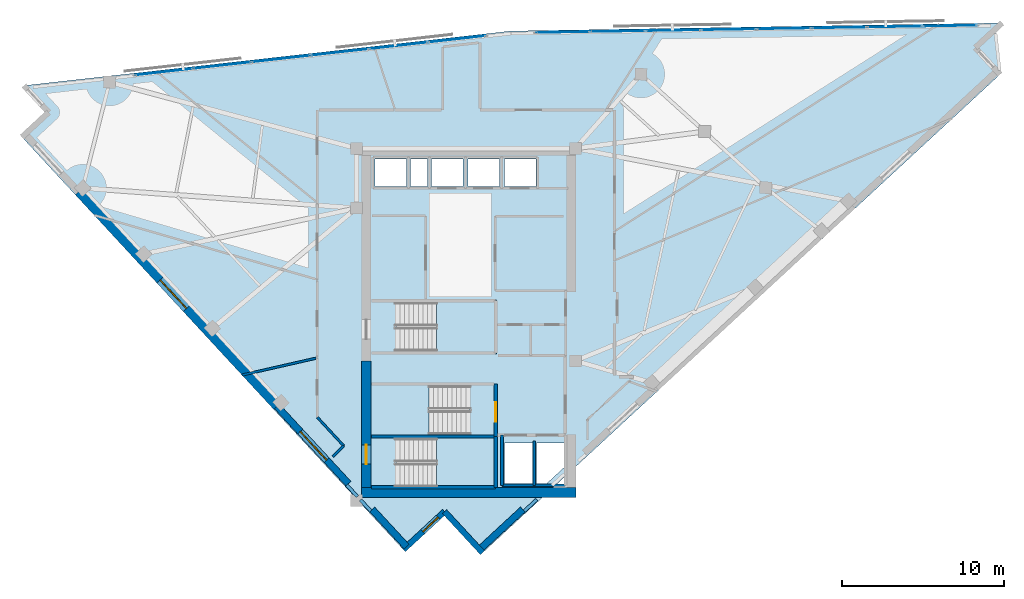
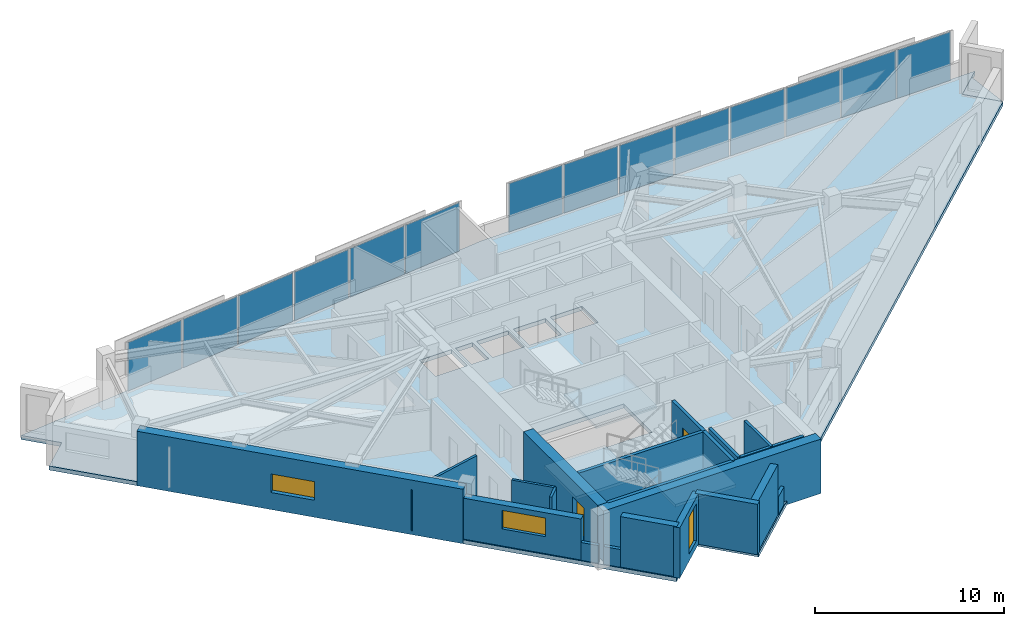
# One storey, part 7 of 13: 21 walls, 14 plates, 5 slabs, 3 windows, 2 doors, 5 openings, 5 elements without a shape of their own.
"""IFC4 building model written with IfcOpenShell, lengths in metres."""

import ifcopenshell
import ifcopenshell.guid

model = None  # the IFC model being written
_history = None  # IfcOwnerHistory: only IFC2X3 demands one
_inside = {}  # id of a spatial element -> (the spatial element, [elements in it])
_under = {}  # id of a project, library or spatial element -> (it, [spatial elements below it])
_declared = {}  # id of a project -> (the project, [libraries it declares])
_typed = {}  # id of a type object -> (the type object, [elements of that type])
_made_of = {}  # id of a material, layer set ... -> (it, [elements and type objects made of it])


def new_model(schema):
    """Start an empty IFC model of exactly this schema.

    Asked for "IFC4X3", IfcOpenShell would pick the latest addendum, in which some entities
    have other attributes; the version numbers below select the first issue.
    IFC2X3 requires an IfcOwnerHistory on every rooted entity: one is made here for all.
    """
    global model, _history
    if schema == "IFC4X3":
        model = ifcopenshell.file(schema_version=(4, 3, 0, 0))
    else:
        model = ifcopenshell.file(schema=schema)
    _inside.clear()
    _under.clear()
    _declared.clear()
    _typed.clear()
    _made_of.clear()
    _history = None
    if model.schema == "IFC2X3":
        org = make("IfcOrganization", Name="unknown")
        user = make(
            "IfcPersonAndOrganization",
            ThePerson=make("IfcPerson", FamilyName="unknown"),
            TheOrganization=org,
        )
        app = make(
            "IfcApplication",
            ApplicationDeveloper=org,
            Version="unknown",
            ApplicationFullName="unknown",
            ApplicationIdentifier="unknown",
        )
        _history = make(
            "IfcOwnerHistory",
            OwningUser=user,
            OwningApplication=app,
            ChangeAction="ADDED",
            CreationDate=0,
        )
    return model


def make(cls, **values):
    """One entity of the class cls with the attributes given. An attribute that is None is left unset."""
    return model.create_entity(
        cls, **{name: value for name, value in values.items() if value is not None}
    )


def rooted(cls, **values):
    """An entity with a GlobalId (a new one), such as an element, a storey or a relation."""
    return make(cls, GlobalId=ifcopenshell.guid.new(), OwnerHistory=_history, **values)


def si_unit(unit_type, name, prefix=None):
    """IfcSIUnit, for example si_unit("LENGTHUNIT", "METRE", prefix="MILLI")."""
    return make("IfcSIUnit", UnitType=unit_type, Prefix=prefix, Name=name)


def assignment(units):
    """IfcUnitAssignment: the units of a project."""
    return None if units is None else make("IfcUnitAssignment", Units=units)


def point(xyz):
    """IfcCartesianPoint."""
    return None if xyz is None else make("IfcCartesianPoint", Coordinates=xyz)


def direction(xyz):
    """IfcDirection."""
    return None if xyz is None else make("IfcDirection", DirectionRatios=xyz)


def frame(location, z_axis=None, x_axis=None):
    """IfcAxis2Placement3D, a coordinate frame: its origin and axes. An axis left out is left unset."""
    return make(
        "IfcAxis2Placement3D",
        Location=point(location),
        Axis=direction(z_axis),
        RefDirection=direction(x_axis),
    )


def frame_2d(location, x_axis=None):
    """IfcAxis2Placement2D, a coordinate frame in the plane: its origin and x axis."""
    return make(
        "IfcAxis2Placement2D", Location=point(location), RefDirection=direction(x_axis)
    )


def origin():
    """The frame at (0, 0, 0) with its axes left unset."""
    return frame((0.0, 0.0, 0.0))


def origin_2d():
    """The frame at (0, 0) in the plane with its x axis left unset."""
    return frame_2d((0.0, 0.0))


def place(relative_to, where):
    """IfcLocalPlacement: puts the frame where relative to a parent placement (None: the world)."""
    return make(
        "IfcLocalPlacement", PlacementRelTo=relative_to, RelativePlacement=where
    )


def context(
    kind, dimensions, precision=None, world=None, true_north=None, identifier=None
):
    """IfcGeometricRepresentationContext, for example the 3D "Model" context."""
    return make(
        "IfcGeometricRepresentationContext",
        ContextIdentifier=identifier,
        ContextType=kind,
        CoordinateSpaceDimension=dimensions,
        Precision=precision,
        WorldCoordinateSystem=world,
        TrueNorth=true_north,
    )


def subcontext(parent, identifier, kind, view, scale=None):
    """IfcGeometricRepresentationSubContext, for example "Body" below "Model"."""
    return make(
        "IfcGeometricRepresentationSubContext",
        ContextIdentifier=identifier,
        ContextType=kind,
        ParentContext=parent,
        TargetScale=scale,
        TargetView=view,
    )


def project(units=None, contexts=None):
    """IfcProject with its units and contexts."""
    return rooted(
        "IfcProject",
        Name="project",
        RepresentationContexts=contexts,
        UnitsInContext=assignment(units),
    )


def spatial(cls, under=None, at=None, **own):
    """A site, building, storey or space (cls), placed at a placement, below another one or the project."""
    s = rooted(cls, ObjectPlacement=at, **own)
    if under is not None:
        _under.setdefault(under.id(), (under, []))[1].append(s)
    return s


def polyline(points):
    """IfcPolyline through the points."""
    return make("IfcPolyline", Points=[point(p) for p in points])


def profile(cls, at=None, kind="AREA", **sizes):
    """A parametric profile (cls). Its sizes go by their IFC names, for example OverallWidth=200.0."""
    return make(cls, ProfileType=kind, Position=at, **sizes)


def rectangle(**sizes):
    """IfcRectangleProfileDef."""
    return profile("IfcRectangleProfileDef", **sizes)


def outline(outer, holes=None, kind="AREA"):
    """IfcArbitraryClosedProfileDef: a profile drawn as a closed curve; with holes, ...WithVoids."""
    if holes is None:
        return make("IfcArbitraryClosedProfileDef", ProfileType=kind, OuterCurve=outer)
    return make(
        "IfcArbitraryProfileDefWithVoids",
        ProfileType=kind,
        OuterCurve=outer,
        InnerCurves=holes,
    )


def extrude(swept, where, along, depth):
    """IfcExtrudedAreaSolid: the profile swept, set in the frame where, extruded along a direction by depth."""
    return make(
        "IfcExtrudedAreaSolid",
        SweptArea=swept,
        Position=where,
        ExtrudedDirection=direction(along),
        Depth=depth,
    )


def shape(context_of_items, identifier, shape_type, items):
    """IfcShapeRepresentation: the items that make up one representation, for example the "Body"."""
    return make(
        "IfcShapeRepresentation",
        ContextOfItems=context_of_items,
        RepresentationIdentifier=identifier,
        RepresentationType=shape_type,
        Items=items,
    )


def material(Name=None, Category=None):
    """IfcMaterial."""
    return make("IfcMaterial", Name=Name, Category=Category)


def layer(
    of_material, thickness, ventilated=None, Name=None, Category=None, Priority=None
):
    """IfcMaterialLayer: one layer of a wall or slab, of a material (None: an air gap)."""
    return make(
        "IfcMaterialLayer",
        Material=of_material,
        LayerThickness=thickness,
        IsVentilated=ventilated,
        Name=Name,
        Category=Category,
        Priority=Priority,
    )


def layer_set(layers, Name=None):
    """IfcMaterialLayerSet."""
    return make("IfcMaterialLayerSet", MaterialLayers=layers, LayerSetName=Name)


def made_of(thing, what):
    """Note that an element or type object is made of a material, layer set ...; save() writes the relation."""
    if what is not None:
        _made_of.setdefault(what.id(), (what, []))[1].append(thing)
    return thing


def type_object(cls, material=None, **own):
    """A type object (cls), such as IfcWallType, which elements share."""
    return made_of(rooted(cls, **own), material)


def element(
    cls,
    number,
    at=None,
    inside=None,
    cuts=None,
    type_object=None,
    material=None,
    context=None,
    identifier="Body",
    shape_type=None,
    held_by="IfcProductDefinitionShape",
    body=None,
    shapes=None,
    **own,
):
    """One element of the class cls, such as IfcWall. Its Tag is "e" and its number.

    at: its placement. inside: the storey or other place that contains it. cuts: it is an
    opening in that element (IfcRelVoidsElement). A single representation is given by context,
    identifier, shape_type and body (its items); several are given by shapes. held_by: the class
    of the entity that holds the representations. save() writes the other relations.
    """
    e = rooted(cls, Tag="e%d" % number, ObjectPlacement=at, **own)
    if body is not None:
        shapes = [shape(context, identifier, shape_type, body)]
    if shapes is not None:
        e.Representation = make(held_by, Representations=shapes)
    if inside is not None:
        _inside.setdefault(inside.id(), (inside, []))[1].append(e)
    if cuts is not None:
        rooted(
            "IfcRelVoidsElement", RelatingBuildingElement=cuts, RelatedOpeningElement=e
        )
    if type_object is not None:
        _typed.setdefault(type_object.id(), (type_object, []))[1].append(e)
    return made_of(e, material)


def fill(opening, filler):
    """IfcRelFillsElement: the door or window that sits in an opening."""
    return rooted(
        "IfcRelFillsElement",
        RelatingOpeningElement=opening,
        RelatedBuildingElement=filler,
    )


def aggregate(whole, parts):
    """IfcRelAggregates: a whole, such as a stair, and the parts it consists of."""
    return rooted("IfcRelAggregates", RelatingObject=whole, RelatedObjects=parts)


def save(model, path):
    """Write the relations noted so far, then the file.

    IfcRelAggregates (storeys below a building ...), IfcRelContainedInSpatialStructure (elements
    in a storey), IfcRelDefinesByType, IfcRelAssociatesMaterial and IfcRelDeclares: one each for
    every whole, place, type object, material and project.
    """
    for whole, parts in _under.values():
        aggregate(whole, parts)
    for where, things in _inside.values():
        rooted(
            "IfcRelContainedInSpatialStructure",
            RelatedElements=things,
            RelatingStructure=where,
        )
    for kind, things in _typed.values():
        rooted("IfcRelDefinesByType", RelatedObjects=things, RelatingType=kind)
    for what, things in _made_of.values():
        rooted("IfcRelAssociatesMaterial", RelatedObjects=things, RelatingMaterial=what)
    for by, libraries in _declared.values():
        rooted("IfcRelDeclares", RelatingContext=by, RelatedDefinitions=libraries)
    model.write(path)


model = new_model("IFC4")

# Units and contexts
model_context = context("Model", 3, precision=1e-05, world=origin(), true_north=direction((0.0, 1.0)))
body_context = subcontext(model_context, "Body", "Model", "MODEL_VIEW")
ifc_project = project(units=[si_unit("LENGTHUNIT", "METRE"), si_unit("AREAUNIT", "SQUARE_METRE"), si_unit("VOLUMEUNIT", "CUBIC_METRE"), si_unit("PLANEANGLEUNIT", "RADIAN"), si_unit("MASSUNIT", "GRAM", prefix="KILO")], contexts=[model_context])

# Site, building, storey
site_placement = place(None, origin())
site = spatial("IfcSite", under=ifc_project, at=site_placement, CompositionType="ELEMENT")
building_placement = place(site_placement, origin())
building = spatial("IfcBuilding", under=site, at=building_placement, Name="Narakoshi Arena Tower", CompositionType="ELEMENT")
storey_placement = place(building_placement, frame((0.0, 0.0, 281.860107421875)))
storey = spatial("IfcBuildingStorey", under=building, at=storey_placement, Name="L77", CompositionType="ELEMENT", Elevation=281.860107421875)

# Curtain wall, plates
ifc_material_1 = material(Name="Anodised bronze aluminium 6063-T6", Category="aluminium")
curtain_wall_type = type_object("IfcCurtainWallType", Name="CW-HYP-HIGH", PredefinedType="NOTDEFINED", material=ifc_material_1)
curtain_wall_1_placement = place(storey_placement, origin())
curtain_wall_1 = element("IfcCurtainWall", 1, at=curtain_wall_1_placement, inside=storey, type_object=curtain_wall_type, Name="L77 Folded Hypotenuse Curtain Wall 1-1", PredefinedType="NOTDEFINED")
ifc_material_2 = material(Name="Bronze-tinted low-E laminated glass", Category="glass")
ifc_layer_1 = layer(ifc_material_2, 0.0439453125)
ifc_layer_set_1 = layer_set([ifc_layer_1], Name="Bronze-tinted low-E laminated glass")
plate_type = type_object("IfcPlateType", Name="PLT-GLZ-44", PredefinedType="CURTAIN_PANEL", material=ifc_layer_set_1)
plate_1_placement = place(storey_placement, frame((108.725341796875, 64.08984375, 0.06494140625), z_axis=(0.0, 0.0, 1.0), x_axis=(-0.999864804777, -0.016442997569, 0.0)))
plate_1 = element("IfcPlate", 2, at=plate_1_placement, type_object=plate_type, Name="CW-03 panel 1.1", PredefinedType="CURTAIN_PANEL", context=body_context, shape_type="SweptSolid", body=[
    extrude(rectangle(XDim=3.307861328125, YDim=0.0439453125, at=origin_2d()), origin(), (0.0, 0.0, 1.0), 3.1298828125),
])
plate_2_placement = place(storey_placement, frame((105.31787109375, 64.033935546875, 0.06494140625), z_axis=(0.0, 0.0, 1.0), x_axis=(-0.999864804777, -0.016442997569, 0.0)))
plate_2 = element("IfcPlate", 3, at=plate_2_placement, type_object=plate_type, Name="CW-03 panel 2.1", PredefinedType="CURTAIN_PANEL", context=body_context, shape_type="SweptSolid", body=[
    extrude(rectangle(XDim=3.34765625, YDim=0.0439453125, at=origin_2d()), origin(), (0.0, 0.0, 1.0), 3.1298828125),
])
plate_3_placement = place(storey_placement, frame((101.890625, 63.9775390625, 0.06494140625), z_axis=(0.0, 0.0, 1.0), x_axis=(-0.999864804777, -0.016442997569, 0.0)))
plate_3 = element("IfcPlate", 4, at=plate_3_placement, type_object=plate_type, Name="CW-03 panel 3.1", PredefinedType="CURTAIN_PANEL", context=body_context, shape_type="SweptSolid", body=[
    extrude(rectangle(XDim=3.34765625, YDim=0.0439453125, at=origin_2d()), origin(), (0.0, 0.0, 1.0), 3.1298828125),
])
plate_4_placement = place(storey_placement, frame((98.46337890625, 63.921142578125, 0.06494140625), z_axis=(0.0, 0.0, 1.0), x_axis=(-0.999864804777, -0.016442997569, 0.0)))
plate_4 = element("IfcPlate", 5, at=plate_4_placement, type_object=plate_type, Name="CW-03 panel 4.1", PredefinedType="CURTAIN_PANEL", context=body_context, shape_type="SweptSolid", body=[
    extrude(rectangle(XDim=3.34765625, YDim=0.0439453125, at=origin_2d()), origin(), (0.0, 0.0, 1.0), 3.1298828125),
])
plate_5_placement = place(storey_placement, frame((95.0361328125, 63.86474609375, 0.06494140625), z_axis=(0.0, 0.0, 1.0), x_axis=(-0.999864804777, -0.016442997569, 0.0)))
plate_5 = element("IfcPlate", 6, at=plate_5_placement, type_object=plate_type, Name="CW-03 panel 5.1", PredefinedType="CURTAIN_PANEL", context=body_context, shape_type="SweptSolid", body=[
    extrude(rectangle(XDim=3.34765625, YDim=0.0439453125, at=origin_2d()), origin(), (0.0, 0.0, 1.0), 3.1298828125),
])
plate_6_placement = place(storey_placement, frame((91.60888671875, 63.808349609375, 0.06494140625), z_axis=(0.0, 0.0, 1.0), x_axis=(-0.999864804777, -0.016442997569, 0.0)))
plate_6 = element("IfcPlate", 7, at=plate_6_placement, type_object=plate_type, Name="CW-03 panel 6.1", PredefinedType="CURTAIN_PANEL", context=body_context, shape_type="SweptSolid", body=[
    extrude(rectangle(XDim=3.34765625, YDim=0.0439453125, at=origin_2d()), origin(), (0.0, 0.0, 1.0), 3.1298828125),
])
plate_7_placement = place(storey_placement, frame((88.181640625, 63.751953125, 0.06494140625), z_axis=(0.0, 0.0, 1.0), x_axis=(-0.999864804777, -0.016442997569, 0.0)))
plate_7 = element("IfcPlate", 8, at=plate_7_placement, type_object=plate_type, Name="CW-03 panel 7.1", PredefinedType="CURTAIN_PANEL", context=body_context, shape_type="SweptSolid", body=[
    extrude(rectangle(XDim=3.34765625, YDim=0.0439453125, at=origin_2d()), origin(), (0.0, 0.0, 1.0), 3.1298828125),
])
plate_8_placement = place(storey_placement, frame((84.774169921875, 63.696044921875, 0.06494140625), z_axis=(0.0, 0.0, 1.0), x_axis=(-0.999864804777, -0.016442997569, 0.0)))
plate_8 = element("IfcPlate", 9, at=plate_8_placement, type_object=plate_type, Name="CW-03 panel 8.1", PredefinedType="CURTAIN_PANEL", context=body_context, shape_type="SweptSolid", body=[
    extrude(rectangle(XDim=3.307861328125, YDim=0.0439453125, at=origin_2d()), origin(), (0.0, 0.0, 1.0), 3.1298828125),
])
aggregate(curtain_wall_1, [plate_1, plate_2, plate_3, plate_4, plate_5, plate_6, plate_7, plate_8])

curtain_wall_2_placement = place(storey_placement, origin())
curtain_wall_2 = element("IfcCurtainWall", 10, at=curtain_wall_2_placement, inside=storey, type_object=curtain_wall_type, Name="L77 Folded Hypotenuse Curtain Wall 2-1", PredefinedType="NOTDEFINED")
plate_9_placement = place(storey_placement, frame((78.222900390625, 63.2705078125, 0.06494140625), z_axis=(0.0, 0.0, 1.0), x_axis=(-0.9937760415, -0.111396496086, 0.0)))
plate_9 = element("IfcPlate", 11, at=plate_9_placement, type_object=plate_type, Name="CW-03 panel 1.1", PredefinedType="CURTAIN_PANEL", context=body_context, shape_type="SweptSolid", body=[
    extrude(rectangle(XDim=3.540283203125, YDim=0.0439453125, at=origin_2d()), origin(), (0.0, 0.0, 1.0), 3.1298828125),
])
plate_10_placement = place(storey_placement, frame((74.605224609375, 62.864990234375, 0.06494140625), z_axis=(0.0, 0.0, 1.0), x_axis=(-0.9937760415, -0.111396496086, 0.0)))
plate_10 = element("IfcPlate", 12, at=plate_10_placement, type_object=plate_type, Name="CW-03 panel 2.1", PredefinedType="CURTAIN_PANEL", context=body_context, shape_type="SweptSolid", body=[
    extrude(rectangle(XDim=3.580322265625, YDim=0.0439453125, at=origin_2d()), origin(), (0.0, 0.0, 1.0), 3.1298828125),
])
plate_11_placement = place(storey_placement, frame((70.967529296875, 62.45703125, 0.06494140625), z_axis=(0.0, 0.0, 1.0), x_axis=(-0.9937760415, -0.111396496086, 0.0)))
plate_11 = element("IfcPlate", 13, at=plate_11_placement, type_object=plate_type, Name="CW-03 panel 3.1", PredefinedType="CURTAIN_PANEL", context=body_context, shape_type="SweptSolid", body=[
    extrude(rectangle(XDim=3.580322265625, YDim=0.0439453125, at=origin_2d()), origin(), (0.0, 0.0, 1.0), 3.1298828125),
])
plate_12_placement = place(storey_placement, frame((67.330078125, 62.04931640625, 0.06494140625), z_axis=(0.0, 0.0, 1.0), x_axis=(-0.9937760415, -0.111396496086, 0.0)))
plate_12 = element("IfcPlate", 14, at=plate_12_placement, type_object=plate_type, Name="CW-03 panel 4.1", PredefinedType="CURTAIN_PANEL", context=body_context, shape_type="SweptSolid", body=[
    extrude(rectangle(XDim=3.580322265625, YDim=0.0439453125, at=origin_2d()), origin(), (0.0, 0.0, 1.0), 3.1298828125),
])
plate_13_placement = place(storey_placement, frame((63.6923828125, 61.6416015625, 0.06494140625), z_axis=(0.0, 0.0, 1.0), x_axis=(-0.9937760415, -0.111396496086, 0.0)))
plate_13 = element("IfcPlate", 15, at=plate_13_placement, type_object=plate_type, Name="CW-03 panel 5.1", PredefinedType="CURTAIN_PANEL", context=body_context, shape_type="SweptSolid", body=[
    extrude(rectangle(XDim=3.580322265625, YDim=0.0439453125, at=origin_2d()), origin(), (0.0, 0.0, 1.0), 3.1298828125),
])
plate_14_placement = place(storey_placement, frame((60.07470703125, 61.236083984375, 0.06494140625), z_axis=(0.0, 0.0, 1.0), x_axis=(-0.9937760415, -0.111396496086, 0.0)))
plate_14 = element("IfcPlate", 16, at=plate_14_placement, type_object=plate_type, Name="CW-03 panel 6.1", PredefinedType="CURTAIN_PANEL", context=body_context, shape_type="SweptSolid", body=[
    extrude(rectangle(XDim=3.540283203125, YDim=0.0439453125, at=origin_2d()), origin(), (0.0, 0.0, 1.0), 3.1298828125),
])
aggregate(curtain_wall_2, [plate_9, plate_10, plate_11, plate_12, plate_13, plate_14])

# Stair, slab
ifc_material_3 = material(Name="Concrete C45/55", Category="concrete")
stair_type = type_object("IfcStairType", Name="STR-CORE-352", PredefinedType="TWO_STRAIGHT_RUN_STAIR", material=ifc_material_3)
stair_1_placement = place(storey_placement, origin())
stair_1 = element("IfcStair", 17, at=stair_1_placement, inside=storey, type_object=stair_type, Name="L77 Core Escape Stair ST1", PredefinedType="TWO_STRAIGHT_RUN_STAIR")
ifc_layer_2 = layer(ifc_material_3, 0.18994140625)
ifc_layer_set_2 = layer_set([ifc_layer_2], Name="Concrete C45/55")
slab_type_1 = type_object("IfcSlabType", Name="SLB-LND-190", PredefinedType="LANDING", material=ifc_layer_set_2)
slab_1_placement = place(storey_placement, frame((0.0, 0.0, 1.56982421875)))
slab_1 = element("IfcSlab", 18, at=slab_1_placement, type_object=slab_type_1, Name="ST1 landing 1", PredefinedType="LANDING", context=body_context, shape_type="SweptSolid", body=[
    extrude(outline(polyline([(76.965087890625, 35.3701171875), (80.679931640625, 35.3701171875), (80.679931640625, 38.72998046875), (76.965087890625, 38.72998046875), (76.965087890625, 35.3701171875)])), origin(), (0.0, 0.0, 1.0), 0.190185546875),
])
aggregate(stair_1, [slab_1])

stair_2_placement = place(storey_placement, origin())
stair_2 = element("IfcStair", 19, at=stair_2_placement, inside=storey, type_object=stair_type, Name="L77 Core Escape Stair ST2", PredefinedType="TWO_STRAIGHT_RUN_STAIR")
slab_2_placement = place(storey_placement, frame((0.0, 0.0, 1.56982421875)))
slab_2 = element("IfcSlab", 20, at=slab_2_placement, type_object=slab_type_1, Name="ST2 landing 1", PredefinedType="LANDING", context=body_context, shape_type="SweptSolid", body=[
    extrude(outline(polyline([(72.77001953125, 38.6201171875), (76.485107421875, 38.6201171875), (76.485107421875, 41.97998046875), (72.77001953125, 41.97998046875), (72.77001953125, 38.6201171875)])), origin(), (0.0, 0.0, 1.0), 0.190185546875),
])
aggregate(stair_2, [slab_2])

stair_3_placement = place(storey_placement, origin())
stair_3 = element("IfcStair", 21, at=stair_3_placement, inside=storey, type_object=stair_type, Name="L77 Core Escape Stair ST3", PredefinedType="TWO_STRAIGHT_RUN_STAIR")
slab_3_placement = place(storey_placement, frame((0.0, 0.0, 1.56982421875)))
slab_3 = element("IfcSlab", 22, at=slab_3_placement, type_object=slab_type_1, Name="ST3 landing 1", PredefinedType="LANDING", context=body_context, shape_type="SweptSolid", body=[
    extrude(outline(polyline([(76.965087890625, 43.77001953125), (80.679931640625, 43.77001953125), (80.679931640625, 47.1298828125), (76.965087890625, 47.1298828125), (76.965087890625, 43.77001953125)])), origin(), (0.0, 0.0, 1.0), 0.190185546875),
])
aggregate(stair_3, [slab_3])

# Slabs
ifc_material_4 = material(Name="Concrete C50/60", Category="concrete")
ifc_layer_3 = layer(ifc_material_4, 0.260009765625)
ifc_layer_set_3 = layer_set([ifc_layer_3], Name="Concrete C50/60")
slab_type_2 = type_object("IfcSlabType", Name="SLB-SKY-260", PredefinedType="FLOOR", material=ifc_layer_set_3)
slab_4_placement = place(storey_placement, frame((0.0, 0.0, -0.260009765625)))
element("IfcSlab", 23, at=slab_4_placement, inside=storey, type_object=slab_type_2, Name="L77 Structural Floor Slab", PredefinedType="FLOOR", context=body_context, shape_type="SweptSolid", body=[
    extrude(outline(polyline([(79.8056640625, 31.47216796875), (111.83154296875, 61.076416015625), (110.30078125, 62.732421875), (111.956787109375, 64.26318359375), (81.538818359375, 63.7626953125), (51.42333984375, 60.38720703125), (52.9541015625, 58.731201171875), (51.298095703125, 57.200439453125), (74.9033203125, 31.664794921875), (77.45068359375, 34.01953125), (79.8056640625, 31.47216796875)]), holes=[polyline([(80.5, 35.550048828125), (74.47998046875, 35.550048828125), (74.47998046875, 38.550048828125), (80.5, 38.550048828125), (80.5, 35.550048828125)]), polyline([(82.89990234375, 35.75), (81.14990234375, 35.75), (81.14990234375, 38.25), (82.89990234375, 38.25), (82.89990234375, 35.75)]), polyline([(84.89990234375, 36.794189453125), (83.7705078125, 35.75), (83.14990234375, 35.75), (83.14990234375, 38.25), (84.89990234375, 38.25), (84.89990234375, 36.794189453125)]), polyline([(72.949951171875, 38.800048828125), (72.949951171875, 41.800048828125), (78.969970703125, 41.800048828125), (78.969970703125, 38.800048828125), (72.949951171875, 38.800048828125)]), polyline([(74.47998046875, 43.949951171875), (74.47998046875, 46.949951171875), (80.5, 46.949951171875), (80.5, 43.949951171875), (74.47998046875, 43.949951171875)]), polyline([(75.10009765625, 54.14990234375), (73.14990234375, 54.14990234375), (73.14990234375, 55.85009765625), (75.10009765625, 55.85009765625), (75.10009765625, 54.14990234375)]), polyline([(76.39990234375, 54.14990234375), (75.35009765625, 54.14990234375), (75.35009765625, 55.85009765625), (76.39990234375, 55.85009765625), (76.39990234375, 54.14990234375)]), polyline([(78.60009765625, 54.14990234375), (76.64990234375, 54.14990234375), (76.64990234375, 55.85009765625), (78.60009765625, 55.85009765625), (78.60009765625, 54.14990234375)]), polyline([(78.89990234375, 54.14990234375), (78.89990234375, 55.85009765625), (80.85009765625, 55.85009765625), (80.85009765625, 54.14990234375), (78.89990234375, 54.14990234375)]), polyline([(81.14990234375, 54.14990234375), (81.14990234375, 55.85009765625), (83.10009765625, 55.85009765625), (83.10009765625, 54.14990234375), (81.14990234375, 54.14990234375)])]), origin(), (0.0, 0.0, 1.0), 0.260009765625),
])
ifc_layer_4 = layer(ifc_material_3, 0.239990234375)
ifc_layer_set_4 = layer_set([ifc_layer_4], Name="Concrete C45/55")
slab_type_3 = type_object("IfcSlabType", Name="SLB-TERR-240", PredefinedType="ROOF", material=ifc_layer_set_4)
slab_5_placement = place(storey_placement, frame((0.0, 0.0, -0.239990234375)))
element("IfcSlab", 24, at=slab_5_placement, inside=storey, type_object=slab_type_3, Name="L77 Corner Notch Loggia Balcony Slab", PredefinedType="ROOF", context=body_context, shape_type="SweptSolid", body=[
    extrude(outline(polyline([(111.52587890625, 63.863037109375), (110.303955078125, 62.73193359375), (111.8310546875, 61.080078125), (111.52587890625, 63.863037109375)])), origin(), (0.0, 0.0, 1.0), 0.239990234375),
])

# Wall, opening, door
ifc_layer_5 = layer(ifc_material_4, 0.60009765625)
ifc_layer_set_5 = layer_set([ifc_layer_5], Name="Concrete C50/60")
wall_type_1 = type_object("IfcWallType", Name="WL-CORE-600", PredefinedType="SHEAR", material=ifc_layer_set_5)
wall_1_placement = place(storey_placement, frame((72.60009765625, 35.5, -0.260009765625), z_axis=(0.0, 0.0, 1.0), x_axis=(0.0, 1.0, 0.0)))
wall_1 = element("IfcWall", 25, at=wall_1_placement, inside=storey, type_object=wall_type_1, Name="L77 Central Core Shear Wall CW-APX-W", PredefinedType="SHEAR", context=body_context, shape_type="SweptSolid", body=[
    extrude(rectangle(XDim=7.85009765625, YDim=0.60009765625, at=frame_2d((3.925048828125, 0.0))), origin(), (0.0, 0.0, 1.0), 3.52001953125),
])
opening_1_placement = place(wall_1_placement, frame((1.449951171875, 0.0, 0.260009765625)))
opening_1 = element("IfcOpeningElement", 26, at=opening_1_placement, cuts=wall_1, Name="Opening D-03", PredefinedType="OPENING", context=body_context, shape_type="SweptSolid", body=[
    extrude(rectangle(XDim=1.199951171875, YDim=2.199951171875, at=frame_2d((0.60009765625, 1.10009765625))), frame((0.0, 0.31005859375, 0.0), z_axis=(0.0, -1.0, 0.0), x_axis=(1.0, 0.0, 0.0)), (0.0, 0.0, 1.0), 0.6201171875),
])
ifc_material_5 = material(Name="Painted galvanized steel", Category="steel")
door_type = type_object("IfcDoorType", Name="DR-STR-1200", OperationType="NOTDEFINED", PredefinedType="USERDEFINED", material=ifc_material_5)
door_1_placement = place(opening_1_placement, frame((1.199951171875, 0.0, 0.0), z_axis=(0.0, 0.0, 1.0), x_axis=(-1.0, 0.0, 0.0)))
door_1 = element("IfcDoor", 27, at=door_1_placement, inside=storey, type_object=door_type, Name="DR-L77-001", ObjectType="EXITDOOR", OperationType="SINGLE_SWING_LEFT", OverallHeight=2.199951171875, OverallWidth=1.199951171875, PredefinedType="USERDEFINED", context=body_context, shape_type="SweptSolid", body=[
    extrude(rectangle(XDim=1.199951171875, YDim=2.199951171875, at=frame_2d((0.60009765625, 1.10009765625))), frame((0.0, 0.02490234375, 0.0), z_axis=(0.0, -1.0, 0.0), x_axis=(1.0, 0.0, 0.0)), (0.0, 0.0, 1.0), 0.050048828125),
])
fill(opening_1, door_1)

# Wall
wall_2_placement = place(storey_placement, frame((72.300048828125, 35.199951171875, -0.260009765625), z_axis=(0.0, 0.0, 1.0), x_axis=(1.0, 0.0, 0.0)))
element("IfcWall", 28, at=wall_2_placement, inside=storey, type_object=wall_type_1, Name="L77 Central Core Shear Wall CW-APX-S", PredefinedType="SHEAR", context=body_context, shape_type="SweptSolid", body=[
    extrude(rectangle(XDim=13.300048828125, YDim=0.60009765625, at=frame_2d((6.64990234375, 0.0))), origin(), (0.0, 0.0, 1.0), 3.52001953125),
])

# Wall, opening, window
ifc_layer_6 = layer(ifc_material_4, 0.550048828125)
ifc_layer_set_6 = layer_set([ifc_layer_6], Name="Concrete C50/60")
wall_type_2 = type_object("IfcWallType", Name="WL-LEG-550", PredefinedType="SHEAR", material=ifc_layer_set_6)
wall_3_placement = place(storey_placement, frame((54.804931640625, 53.81201171875, -0.260009765625), z_axis=(0.0, 0.0, 1.0), x_axis=(0.678803115619, -0.734320318543, 0.0)))
wall_3 = element("IfcWall", 29, at=wall_3_placement, inside=storey, type_object=wall_type_2, Name="L77 Architectural Concrete Structural Wall LEGB-2", PredefinedType="SHEAR", context=body_context, shape_type="SweptSolid", body=[
    extrude(rectangle(XDim=18.082763671875, YDim=0.550048828125, at=frame_2d((9.04150390625, 0.0))), origin(), (0.0, 0.0, 1.0), 3.52001953125),
])
opening_2_placement = place(wall_3_placement, frame((7.434326171875, 0.0, 1.10009765625)))
opening_2 = element("IfcOpeningElement", 30, at=opening_2_placement, cuts=wall_3, Name="Opening WN-04", PredefinedType="OPENING", context=body_context, shape_type="SweptSolid", body=[
    extrude(rectangle(XDim=2.39990234375, YDim=1.199951171875, at=frame_2d((1.199951171875, 0.60009765625))), frame((0.0, 0.284912109375, 0.0), z_axis=(0.0, -1.0, 0.0), x_axis=(1.0, 0.0, 0.0)), (0.0, 0.0, 1.0), 0.570068359375),
])
window_type_1 = type_object("IfcWindowType", Name="WIN-SLT-24x12", PartitioningType="SINGLE_PANEL", PredefinedType="WINDOW", material=ifc_material_2)
window_1_placement = place(opening_2_placement, origin())
window_1 = element("IfcWindow", 31, at=window_1_placement, inside=storey, type_object=window_type_1, Name="L77 LEGB2 Horizontal Slot Window 1", OverallHeight=1.199951171875, OverallWidth=2.39990234375, PartitioningType="SINGLE_PANEL", PredefinedType="WINDOW", context=body_context, shape_type="SweptSolid", body=[
    extrude(rectangle(XDim=2.39990234375, YDim=1.199951171875, at=frame_2d((1.199951171875, 0.60009765625))), frame((0.0, 0.030029296875, 0.0), z_axis=(0.0, -1.0, 0.0), x_axis=(1.0, 0.0, 0.0)), (0.0, 0.0, 1.0), 0.06005859375),
])
fill(opening_2, window_1)

# Walls
ifc_material_6 = material(Name="Precast concrete C45/55", Category="concrete")
ifc_layer_7 = layer(ifc_material_6, 0.25)
ifc_layer_set_7 = layer_set([ifc_layer_7], Name="Precast concrete C45/55")
wall_type_3 = type_object("IfcWallType", Name="WL-PARA-250", PredefinedType="PARAPET", material=ifc_layer_set_7)
wall_4_placement = place(storey_placement, frame((72.881103515625, 34.058349609375, 0.0), z_axis=(0.0, 0.0, 1.0), x_axis=(-0.678651758246, 0.734460203843, 0.0)))
element("IfcWall", 32, at=wall_4_placement, inside=storey, type_object=wall_type_3, Name="L77 Crown Sill Upstand Parapet 01", PredefinedType="PARAPET", context=body_context, shape_type="SweptSolid", body=[
    extrude(rectangle(XDim=0.927490234375, YDim=0.199951171875, at=frame_2d((0.4638671875, 0.0))), origin(), (0.0, 0.0, 1.0), 1.14990234375),
])
wall_5_placement = place(storey_placement, frame((72.05908203125, 34.94775390625, 0.0), z_axis=(0.0, 0.0, 1.0), x_axis=(-0.678740051818, 0.734378609478, 0.0)))
element("IfcWall", 33, at=wall_5_placement, inside=storey, type_object=wall_type_3, Name="L77 Crown Sill Upstand Parapet 02", PredefinedType="PARAPET", context=body_context, shape_type="SweptSolid", body=[
    extrude(rectangle(XDim=0.9697265625, YDim=0.199951171875, at=frame_2d((0.48486328125, 0.0))), origin(), (0.0, 0.0, 1.0), 1.14990234375),
])
wall_6_placement = place(storey_placement, frame((83.15625, 34.760009765625, 0.0), z_axis=(0.0, 0.0, 1.0), x_axis=(-0.734364355784, -0.678755473609, 0.0)))
element("IfcWall", 34, at=wall_6_placement, inside=storey, type_object=wall_type_3, Name="L77 Crown Sill Upstand Parapet 05", PredefinedType="PARAPET", context=body_context, shape_type="SweptSolid", body=[
    extrude(rectangle(XDim=1.044921875, YDim=0.199951171875, at=frame_2d((0.5224609375, 0.0))), origin(), (0.0, 0.0, 1.0), 1.14990234375),
])
ifc_layer_8 = layer(ifc_material_6, 0.419921875)
ifc_layer_set_8 = layer_set([ifc_layer_8], Name="Precast concrete C45/55")
wall_type_4 = type_object("IfcWallType", Name="WL-POD-420", PredefinedType="SOLIDWALL", material=ifc_layer_set_8)
wall_7_placement = place(storey_placement, frame((79.618896484375, 31.674072265625, 0.0), z_axis=(0.0, 0.0, 1.0), x_axis=(0.734338793707, 0.678783128884, 0.0)))
element("IfcWall", 35, at=wall_7_placement, inside=storey, type_object=wall_type_4, Name="L77 Architectural Concrete Facade Wall LEGA-1", PredefinedType="SOLIDWALL", context=body_context, shape_type="SweptSolid", body=[
    extrude(rectangle(XDim=3.6474609375, YDim=0.419921875, at=frame_2d((1.82373046875, 0.0))), origin(), (0.0, 0.0, 1.0), 3.260009765625),
])

# Wall, opening, window
wall_8_placement = place(storey_placement, frame((67.07958984375, 40.533447265625, 0.0), z_axis=(0.0, 0.0, 1.0), x_axis=(0.678800006437, -0.734323192648, 0.0)))
wall_8 = element("IfcWall", 36, at=wall_8_placement, inside=storey, type_object=wall_type_4, Name="L77 Architectural Concrete Facade Wall LEGB-3", PredefinedType="SOLIDWALL", context=body_context, shape_type="SweptSolid", body=[
    extrude(rectangle(XDim=6.51220703125, YDim=0.419921875, at=frame_2d((3.256103515625, 0.0))), origin(), (0.0, 0.0, 1.0), 2.644775390625),
])
opening_3_placement = place(wall_8_placement, frame((2.128662109375, 0.0, 1.10009765625)))
opening_3 = element("IfcOpeningElement", 37, at=opening_3_placement, cuts=wall_8, Name="Opening WN-04", PredefinedType="OPENING", context=body_context, shape_type="SweptSolid", body=[
    extrude(rectangle(XDim=2.39990234375, YDim=1.199951171875, at=frame_2d((1.199951171875, 0.60009765625))), frame((0.0, 0.219970703125, 0.0), z_axis=(0.0, -1.0, 0.0), x_axis=(1.0, 0.0, 0.0)), (0.0, 0.0, 1.0), 0.43994140625),
])
window_2_placement = place(opening_3_placement, origin())
window_2 = element("IfcWindow", 38, at=window_2_placement, inside=storey, type_object=window_type_1, Name="L77 LEGB3 Horizontal Slot Window 1", OverallHeight=1.199951171875, OverallWidth=2.39990234375, PartitioningType="SINGLE_PANEL", PredefinedType="WINDOW", context=body_context, shape_type="SweptSolid", body=[
    extrude(rectangle(XDim=2.39990234375, YDim=1.199951171875, at=frame_2d((1.199951171875, 0.60009765625))), frame((0.0, 0.030029296875, 0.0), z_axis=(0.0, -1.0, 0.0), x_axis=(1.0, 0.0, 0.0)), (0.0, 0.0, 1.0), 0.06005859375),
])
fill(opening_3, window_2)

# Wall
wall_9_placement = place(storey_placement, frame((72.980224609375, 34.14990234375, 0.0), z_axis=(0.0, 0.0, 1.0), x_axis=(0.67879500555, -0.73432781538, 0.0)))
element("IfcWall", 39, at=wall_9_placement, inside=storey, type_object=wall_type_4, Name="L77 Architectural Concrete Facade Wall LEGB-4", PredefinedType="SOLIDWALL", context=body_context, shape_type="SweptSolid", body=[
    extrude(rectangle(XDim=3.130126953125, YDim=0.419921875, at=frame_2d((1.56494140625, 0.0))), origin(), (0.0, 0.0, 1.0), 3.260009765625),
])

# Wall, opening, window
wall_10_placement = place(storey_placement, frame((74.9033203125, 31.664794921875, 0.0), z_axis=(0.0, 0.0, 1.0), x_axis=(0.734325680362, 0.678797315228, 0.0)))
wall_10 = element("IfcWall", 40, at=wall_10_placement, inside=storey, type_object=wall_type_4, Name="L77 Re-Entrant Corner Notch Wall NTA-1", PredefinedType="SOLIDWALL", context=body_context, shape_type="SweptSolid", body=[
    extrude(rectangle(XDim=3.468994140625, YDim=0.360107421875, at=frame_2d((1.734375, 0.0))), origin(), (0.0, 0.0, 1.0), 3.260009765625),
])
opening_4_placement = place(wall_10_placement, frame((1.64306640625, 0.0, 0.449951171875)))
opening_4 = element("IfcOpeningElement", 41, at=opening_4_placement, cuts=wall_10, Name="Opening WN-06", PredefinedType="OPENING", context=body_context, shape_type="SweptSolid", body=[
    extrude(rectangle(XDim=1.300048828125, YDim=2.39990234375, at=frame_2d((0.64990234375, 1.199951171875))), frame((0.0, 0.18994140625, 0.0), z_axis=(0.0, -1.0, 0.0), x_axis=(1.0, 0.0, 0.0)), (0.0, 0.0, 1.0), 0.380126953125),
])
window_type_2 = type_object("IfcWindowType", Name="WIN-NTC-16x24", PartitioningType="SINGLE_PANEL", PredefinedType="WINDOW", material=ifc_material_2)
window_3_placement = place(opening_4_placement, origin())
window_3 = element("IfcWindow", 42, at=window_3_placement, inside=storey, type_object=window_type_2, Name="L77 Corner Notch Window NTA", OverallHeight=2.39990234375, OverallWidth=1.300048828125, PartitioningType="SINGLE_PANEL", PredefinedType="WINDOW", context=body_context, shape_type="SweptSolid", body=[
    extrude(rectangle(XDim=1.300048828125, YDim=2.39990234375, at=frame_2d((0.64990234375, 1.199951171875))), frame((0.0, 0.030029296875, 0.0), z_axis=(0.0, -1.0, 0.0), x_axis=(1.0, 0.0, 0.0)), (0.0, 0.0, 1.0), 0.06005859375),
])
fill(opening_4, window_3)

# Walls
wall_11_placement = place(storey_placement, frame((77.45068359375, 34.01953125, 0.0), z_axis=(0.0, 0.0, 1.0), x_axis=(0.678835262818, -0.734290600481, 0.0)))
element("IfcWall", 43, at=wall_11_placement, inside=storey, type_object=wall_type_4, Name="L77 Re-Entrant Corner Notch Wall NTA-2", PredefinedType="SOLIDWALL", context=body_context, shape_type="SweptSolid", body=[
    extrude(rectangle(XDim=3.46923828125, YDim=0.360107421875, at=frame_2d((1.734619140625, 0.0))), origin(), (0.0, 0.0, 1.0), 3.260009765625),
])
ifc_material_7 = material(Name="Concrete C40/50", Category="concrete")
ifc_layer_9 = layer(ifc_material_7, 0.280029296875)
ifc_layer_set_9 = layer_set([ifc_layer_9], Name="Concrete C40/50")
wall_type_5 = type_object("IfcWallType", Name="WL-RISER-280", PredefinedType="PLUMBINGWALL", material=ifc_layer_set_9)
wall_12_placement = place(storey_placement, frame((83.0, 35.64990234375, 0.0), z_axis=(0.0, 0.0, 1.0), x_axis=(0.0, 1.0, 0.0)))
element("IfcWall", 44, at=wall_12_placement, inside=storey, type_object=wall_type_5, Name="L77 Core Wall FF-DIV", PredefinedType="PLUMBINGWALL", context=body_context, shape_type="SweptSolid", body=[
    extrude(rectangle(XDim=2.75, YDim=0.159912109375, at=frame_2d((1.375, 0.0))), origin(), (0.0, 0.0, 1.0), 3.260009765625),
])
ifc_layer_10 = layer(ifc_material_4, 0.35009765625)
ifc_layer_set_10 = layer_set([ifc_layer_10], Name="Concrete C50/60")
wall_type_6 = type_object("IfcWallType", Name="WL-SHAFT-350", PredefinedType="SOLIDWALL", material=ifc_layer_set_10)
for number, where, z_axis, x_axis, name in (
    (45, (72.919921875, 35.52001953125, -0.260009765625), (0.0, 0.0, 1.0), (1.0, 0.0, 0.0), "L77 Core Wall ST1-S"),
    (46, (72.919921875, 38.675048828125, -0.260009765625), (0.0, 0.0, 1.0), (1.0, 0.0, 0.0), "L77 Core Wall ST12-DIV"),
):
    element("IfcWall", number, at=place(storey_placement, frame(where, z_axis=z_axis, x_axis=x_axis)), inside=storey, type_object=wall_type_6, Name=name, PredefinedType="SOLIDWALL", context=body_context, shape_type="SweptSolid", body=[
        extrude(rectangle(XDim=7.7001953125, YDim=0.199951171875, at=frame_2d((3.85009765625, 0.0))), origin(), (0.0, 0.0, 1.0), 3.52001953125),
    ])
wall_13_placement = place(storey_placement, frame((80.6201171875, 35.52001953125, -0.260009765625), z_axis=(0.0, 0.0, 1.0), x_axis=(0.0, 1.0, 0.0)))
element("IfcWall", 47, at=wall_13_placement, inside=storey, type_object=wall_type_6, Name="L77 Core Wall ST1-E", PredefinedType="SOLIDWALL", context=body_context, shape_type="SweptSolid", body=[
    extrude(rectangle(XDim=3.155029296875, YDim=0.199951171875, at=frame_2d((1.57763671875, 0.0))), origin(), (0.0, 0.0, 1.0), 3.52001953125),
])

# Wall, opening, door
wall_14_placement = place(storey_placement, frame((80.6201171875, 38.675048828125, -0.260009765625), z_axis=(0.0, 0.0, 1.0), x_axis=(0.0, 1.0, 0.0)))
wall_14 = element("IfcWall", 48, at=wall_14_placement, inside=storey, type_object=wall_type_6, Name="L77 Core Wall ST2-E", PredefinedType="SOLIDWALL", context=body_context, shape_type="SweptSolid", body=[
    extrude(rectangle(XDim=3.244873046875, YDim=0.199951171875, at=frame_2d((1.62255859375, 0.0))), origin(), (0.0, 0.0, 1.0), 3.52001953125),
])
opening_5_placement = place(wall_14_placement, frame((0.89990234375, 0.0, 0.260009765625)))
opening_5 = element("IfcOpeningElement", 49, at=opening_5_placement, cuts=wall_14, Name="Opening D-03", PredefinedType="OPENING", context=body_context, shape_type="SweptSolid", body=[
    extrude(rectangle(XDim=1.199951171875, YDim=2.199951171875, at=frame_2d((0.60009765625, 1.10009765625))), frame((0.0, 0.10986328125, 0.0), z_axis=(0.0, -1.0, 0.0), x_axis=(1.0, 0.0, 0.0)), (0.0, 0.0, 1.0), 0.219970703125),
])
door_2_placement = place(opening_5_placement, origin())
door_2 = element("IfcDoor", 50, at=door_2_placement, inside=storey, type_object=door_type, Name="DR-L77-002", ObjectType="EXITDOOR", OperationType="SINGLE_SWING_RIGHT", OverallHeight=2.199951171875, OverallWidth=1.199951171875, PredefinedType="USERDEFINED", context=body_context, shape_type="SweptSolid", body=[
    extrude(rectangle(XDim=1.199951171875, YDim=2.199951171875, at=frame_2d((0.60009765625, 1.10009765625))), frame((0.0, 0.02490234375, 0.0), z_axis=(0.0, -1.0, 0.0), x_axis=(1.0, 0.0, 0.0)), (0.0, 0.0, 1.0), 0.050048828125),
])
fill(opening_5, door_2)

# Walls
wall_15_placement = place(storey_placement, frame((81.02001953125, 35.64990234375, 0.0), z_axis=(0.0, 0.0, 1.0), x_axis=(0.0, 1.0, 0.0)))
element("IfcWall", 51, at=wall_15_placement, inside=storey, type_object=wall_type_6, Name="L77 Core Wall FF-W", PredefinedType="SOLIDWALL", context=body_context, shape_type="SweptSolid", body=[
    extrude(rectangle(XDim=3.10009765625, YDim=0.179931640625, at=frame_2d((1.550048828125, 0.0))), origin(), (0.0, 0.0, 1.0), 3.260009765625),
])
wall_16_placement = place(storey_placement, frame((81.02001953125, 35.64990234375, 0.0), z_axis=(0.0, 0.0, 1.0), x_axis=(1.0, 0.0, 0.0)))
element("IfcWall", 52, at=wall_16_placement, inside=storey, type_object=wall_type_6, Name="L77 Core Wall FF-S", PredefinedType="SOLIDWALL", context=body_context, shape_type="SweptSolid", body=[
    extrude(rectangle(XDim=3.929931640625, YDim=0.179931640625, at=frame_2d((1.96484375, 0.0))), origin(), (0.0, 0.0, 1.0), 3.260009765625),
])
ifc_material_8 = material(Name="Moisture-resistant cement-board partition")
ifc_layer_11 = layer(ifc_material_8, 0.14501953125)
ifc_layer_set_11 = layer_set([ifc_layer_11], Name="Moisture-resistant cement-board partition")
wall_type_7 = type_object("IfcWallType", Name="WL-WET-145", PredefinedType="PARTITIONING", material=ifc_layer_set_11)
wall_17_placement = place(storey_placement, frame((69.577880859375, 39.8564453125, 0.0), z_axis=(0.0, 0.0, 1.0), x_axis=(0.678773655608, -0.734347550178, 0.0)))
element("IfcWall", 53, at=wall_17_placement, inside=storey, type_object=wall_type_7, Name="L77 Corridor Partition 01-2", PredefinedType="PARTITIONING", context=body_context, shape_type="SweptSolid", body=[
    extrude(rectangle(XDim=2.403076171875, YDim=0.14501953125, at=frame_2d((1.20166015625, 0.0))), origin(), (0.0, 0.0, 1.0), 3.260009765625),
])
wall_18_placement = place(storey_placement, frame((64.91552734375, 42.469482421875, 0.0), z_axis=(0.0, 0.0, 1.0), x_axis=(0.975015749861, 0.222135741209, 0.0)))
element("IfcWall", 54, at=wall_18_placement, inside=storey, type_object=wall_type_7, Name="L77 Inter-Room Partition 01-09", PredefinedType="PARTITIONING", context=body_context, shape_type="SweptSolid", body=[
    extrude(rectangle(XDim=4.695068359375, YDim=0.14501953125, at=frame_2d((2.34765625, 0.0))), origin(), (0.0, 0.0, 1.0), 2.644775390625),
])
wall_19_placement = place(storey_placement, frame((71.208251953125, 38.091064453125, 0.0), z_axis=(0.0, 0.0, 1.0), x_axis=(-0.710073172531, -0.704127892965, 0.0)))
element("IfcWall", 55, at=wall_19_placement, inside=storey, type_object=wall_type_7, Name="L77 Room Enclosure Partition 01-1", PredefinedType="PARTITIONING", context=body_context, shape_type="SweptSolid", body=[
    extrude(rectangle(XDim=0.944580078125, YDim=0.14501953125, at=frame_2d((0.47216796875, 0.0))), origin(), (0.0, 0.0, 1.0), 3.260009765625),
])

save(model, "model.ifc")
